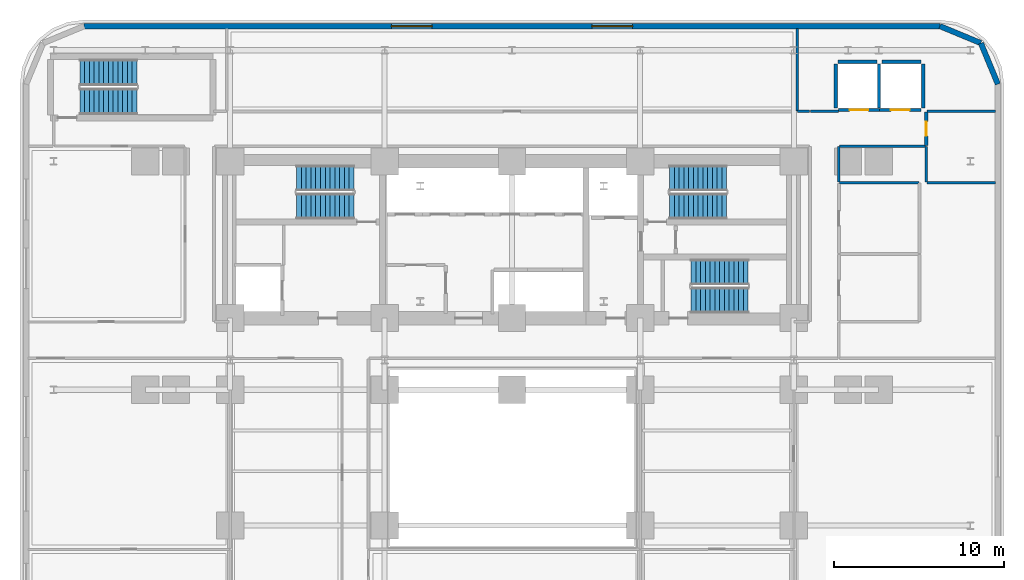
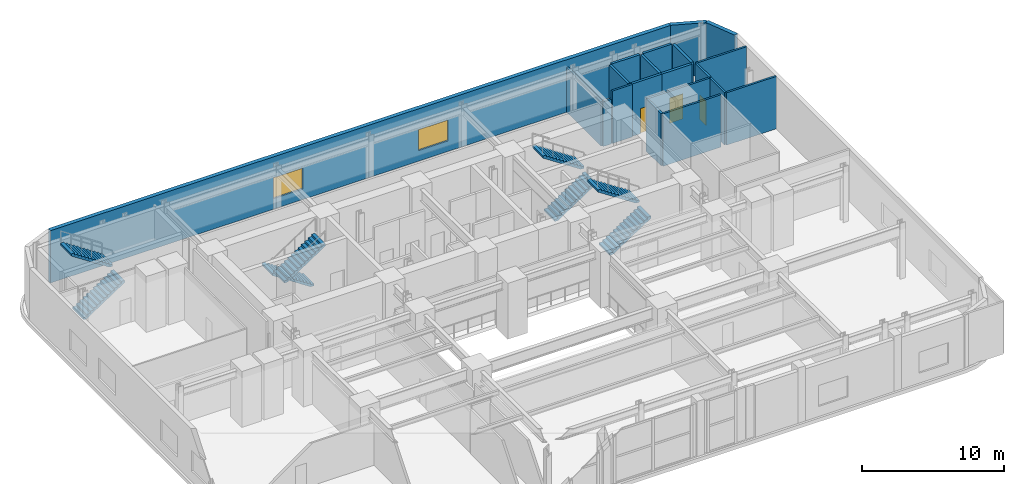
# One storey, part 9 of 16: 20 walls, 8 stair flights, 3 doors, 2 windows, 5 openings, 4 elements without a shape of their own.
"""IFC4 building model written with IfcOpenShell, lengths in metres."""

from ifc_helpers import new_model, si_unit, direction, frame, frame_2d, origin, place, context, subcontext, project, spatial, polyline, rectangle, outline, extrude, material, layer, layer_set, type_object, element, fill, aggregate, save


model = new_model("IFC4")

# Units and contexts
model_context = context("Model", 3, precision=1e-05, world=origin(), true_north=direction((0.0, 1.0)))
body_context = subcontext(model_context, "Body", "Model", "MODEL_VIEW")
ifc_project = project(units=[si_unit("LENGTHUNIT", "METRE"), si_unit("AREAUNIT", "SQUARE_METRE"), si_unit("VOLUMEUNIT", "CUBIC_METRE"), si_unit("PLANEANGLEUNIT", "RADIAN"), si_unit("MASSUNIT", "GRAM", prefix="KILO")], contexts=[model_context])

# Site, building, storey
site_placement = place(None, origin())
site = spatial("IfcSite", under=ifc_project, at=site_placement, CompositionType="ELEMENT")
building_placement = place(site_placement, origin())
building = spatial("IfcBuilding", under=site, at=building_placement, Name="Zarnavel Station Tower", CompositionType="ELEMENT")
storey_placement = place(building_placement, frame((0.0, 0.0, 19.39990234375)))
storey = spatial("IfcBuildingStorey", under=building, at=storey_placement, Name="L05", CompositionType="ELEMENT", Elevation=19.39990234375)

# Walls
ifc_material_1 = material(Name="Precast concrete C45/55 (Podium Basalt Frame)", Category="masonry")
ifc_layer_1 = layer(ifc_material_1, 0.320068359375)
ifc_layer_set_1 = layer_set([ifc_layer_1], Name="EW_BASALT_320")
wall_type_1 = type_object("IfcWallType", Name="EW_BASALT_320", PredefinedType="SOLIDWALL", material=ifc_layer_set_1)
for number, where, z_axis, x_axis, name in (
    (1, (56.418212890625, 44.018310546875, 0.0), (0.0, 0.0, 1.0), (0.382700522567, -0.923872453333, 0.0), "L05 Exterior Basalt Masonry Frame Wall 04"),
    (2, (54.0, 45.02001953125, 0.0), (0.0, 0.0, 1.0), (0.923872453333, -0.382700522567, 0.0), "L05 Exterior Basalt Masonry Frame Wall 05"),
):
    element("IfcWall", number, at=place(storey_placement, frame(where, z_axis=z_axis, x_axis=x_axis)), inside=storey, type_object=wall_type_1, Name=name, PredefinedType="SOLIDWALL", context=body_context, shape_type="SweptSolid", body=[
        extrude(rectangle(XDim=2.617431640625, YDim=0.320068359375, at=frame_2d((1.30859375, 0.0))), origin(), (0.0, 0.0, 1.0), 4.5),
    ])

# Wall, openings, windows
wall_1_placement = place(storey_placement, frame((3.60009765625, 45.02001953125, 0.0), z_axis=(0.0, 0.0, 1.0), x_axis=(1.0, 0.0, 0.0)))
wall_1 = element("IfcWall", 3, at=wall_1_placement, inside=storey, type_object=wall_type_1, Name="L05 Exterior Basalt Masonry Frame Wall 06", PredefinedType="SOLIDWALL", context=body_context, shape_type="SweptSolid", body=[
    extrude(rectangle(XDim=50.39990234375, YDim=0.320068359375, at=frame_2d((25.199951171875, 0.0))), origin(), (0.0, 0.0, 1.0), 4.5),
])
opening_1_placement = place(wall_1_placement, frame((18.10009765625, 0.0, 0.89990234375)))
opening_1 = element("IfcOpeningElement", 4, at=opening_1_placement, cuts=wall_1, Name="Opening WN03", PredefinedType="OPENING", context=body_context, shape_type="SweptSolid", body=[
    extrude(rectangle(XDim=2.39990234375, YDim=1.800048828125, at=frame_2d((1.199951171875, 0.89990234375))), frame((0.0, 0.169921875, 0.0), z_axis=(0.0, -1.0, 0.0), x_axis=(1.0, 0.0, 0.0)), (0.0, 0.0, 1.0), 0.340087890625),
])
opening_2_placement = place(wall_1_placement, frame((29.89990234375, 0.0, 0.89990234375)))
opening_2 = element("IfcOpeningElement", 5, at=opening_2_placement, cuts=wall_1, Name="Opening WN03", PredefinedType="OPENING", context=body_context, shape_type="SweptSolid", body=[
    extrude(rectangle(XDim=2.39990234375, YDim=1.800048828125, at=frame_2d((1.199951171875, 0.89990234375))), frame((0.0, 0.169921875, 0.0), z_axis=(0.0, -1.0, 0.0), x_axis=(1.0, 0.0, 0.0)), (0.0, 0.0, 1.0), 0.340087890625),
])
ifc_material_2 = material(Name="Thermally Broken Black Aluminium and Low-E Dark Glass", Category="aluminium")
window_type = type_object("IfcWindowType", Name="WN_2400x1800", PartitioningType="TRIPLE_PANEL_VERTICAL", PredefinedType="WINDOW", material=ifc_material_2)
window_1_placement = place(opening_1_placement, origin())
window_1 = element("IfcWindow", 6, at=window_1_placement, inside=storey, type_object=window_type, Name="L05 Recessed Facade Window 01", OverallHeight=1.800048828125, OverallWidth=2.39990234375, PartitioningType="SINGLE_PANEL", PredefinedType="WINDOW", context=body_context, shape_type="SweptSolid", body=[
    extrude(rectangle(XDim=2.39990234375, YDim=1.800048828125, at=frame_2d((1.199951171875, 0.89990234375))), frame((0.0, 0.030029296875, 0.0), z_axis=(0.0, -1.0, 0.0), x_axis=(1.0, 0.0, 0.0)), (0.0, 0.0, 1.0), 0.06005859375),
])
fill(opening_1, window_1)
window_2_placement = place(opening_2_placement, origin())
window_2 = element("IfcWindow", 7, at=window_2_placement, inside=storey, type_object=window_type, Name="L05 Recessed Facade Window 02", OverallHeight=1.800048828125, OverallWidth=2.39990234375, PartitioningType="SINGLE_PANEL", PredefinedType="WINDOW", context=body_context, shape_type="SweptSolid", body=[
    extrude(rectangle(XDim=2.39990234375, YDim=1.800048828125, at=frame_2d((1.199951171875, 0.89990234375))), frame((0.0, 0.030029296875, 0.0), z_axis=(0.0, -1.0, 0.0), x_axis=(1.0, 0.0, 0.0)), (0.0, 0.0, 1.0), 0.06005859375),
])
fill(opening_2, window_2)

# Walls
ifc_material_3 = material(Name="Gypsum Twin-Stud Acoustic Fire Partition", Category="concrete")
ifc_layer_2 = layer(ifc_material_3, 0.159912109375)
ifc_layer_set_2 = layer_set([ifc_layer_2], Name="PT_DEMISE_160")
wall_type_2 = type_object("IfcWallType", Name="PT_DEMISE_160", PredefinedType="PARTITIONING", material=ifc_layer_set_2)
wall_2_placement = place(storey_placement, frame((46.3798828125, 40.0, 0.0), z_axis=(0.0, 0.0, 1.0), x_axis=(1.0, 0.0, 0.0)))
element("IfcWall", 8, at=wall_2_placement, inside=storey, type_object=wall_type_2, Name="L05 Enclosure Wall PCOR-E", PredefinedType="PARTITIONING", context=body_context, shape_type="SweptSolid", body=[
    extrude(rectangle(XDim=1.64013671875, YDim=0.159912109375, at=frame_2d((0.820068359375, 0.0))), origin(), (0.0, 0.0, 1.0), 4.5),
])
wall_3_placement = place(storey_placement, frame((48.050048828125, 35.830078125, 0.0), z_axis=(0.0, 0.0, 1.0), x_axis=(0.0, 1.0, 0.0)))
element("IfcWall", 9, at=wall_3_placement, inside=storey, type_object=wall_type_2, Name="L05 Enclosure Wall PCOR-E", PredefinedType="PARTITIONING", context=body_context, shape_type="SweptSolid", body=[
    extrude(rectangle(XDim=2.08984375, YDim=0.159912109375, at=frame_2d((1.044921875, 0.0))), origin(), (0.0, 0.0, 1.0), 4.5),
])
wall_4_placement = place(storey_placement, frame((45.6298828125, 40.0, 0.0), z_axis=(0.0, 0.0, 1.0), x_axis=(1.0, 0.0, 0.0)))
element("IfcWall", 10, at=wall_4_placement, inside=storey, type_object=wall_type_2, Name="L05 Enclosure Wall PCOR-N", PredefinedType="PARTITIONING", context=body_context, shape_type="SweptSolid", body=[
    extrude(rectangle(XDim=0.690185546875, YDim=0.159912109375, at=frame_2d((0.34521484375, 0.0))), origin(), (0.0, 0.0, 1.0), 3.830078125),
])
wall_5_placement = place(storey_placement, frame((48.080078125, 37.949951171875, 0.0), z_axis=(0.0, 0.0, 1.0), x_axis=(1.0, 0.0, 0.0)))
element("IfcWall", 11, at=wall_5_placement, inside=storey, type_object=wall_type_2, Name="L05 Enclosure Wall PLLOB", PredefinedType="PARTITIONING", context=body_context, shape_type="SweptSolid", body=[
    extrude(rectangle(XDim=5.08984375, YDim=0.159912109375, at=frame_2d((2.544921875, 0.0))), origin(), (0.0, 0.0, 1.0), 4.5),
])
wall_6_placement = place(storey_placement, frame((48.080078125, 35.800048828125, 0.0), z_axis=(0.0, 0.0, 1.0), x_axis=(1.0, 0.0, 0.0)))
element("IfcWall", 12, at=wall_6_placement, inside=storey, type_object=wall_type_2, Name="L05 Enclosure Wall PWC-F", PredefinedType="PARTITIONING", context=body_context, shape_type="SweptSolid", body=[
    extrude(rectangle(XDim=4.68994140625, YDim=0.159912109375, at=frame_2d((2.344970703125, 0.0))), origin(), (0.0, 0.0, 1.0), 4.5),
])
for number, where, z_axis, x_axis, name in (
    (13, (53.22998046875, 35.800048828125, 0.0), (0.0, 0.0, 1.0), (1.0, 0.0, 0.0), "L05 Enclosure Wall PWC-A"),
    (14, (53.22998046875, 40.0, 0.0), (0.0, 0.0, 1.0), (1.0, 0.0, 0.0), "L05 Enclosure Wall PWC-A"),
):
    element("IfcWall", number, at=place(storey_placement, frame(where, z_axis=z_axis, x_axis=x_axis)), inside=storey, type_object=wall_type_2, Name=name, PredefinedType="PARTITIONING", context=body_context, shape_type="SweptSolid", body=[
        extrude(rectangle(XDim=4.06005859375, YDim=0.159912109375, at=frame_2d((2.030029296875, 0.0))), origin(), (0.0, 0.0, 1.0), 4.5),
    ])
wall_7_placement = place(storey_placement, frame((53.199951171875, 35.830078125, 0.0), z_axis=(0.0, 0.0, 1.0), x_axis=(0.0, 1.0, 0.0)))
element("IfcWall", 15, at=wall_7_placement, inside=storey, type_object=wall_type_2, Name="L05 Enclosure Wall PWC-A", PredefinedType="PARTITIONING", context=body_context, shape_type="SweptSolid", body=[
    extrude(rectangle(XDim=2.08984375, YDim=0.159912109375, at=frame_2d((1.044921875, 0.0))), origin(), (0.0, 0.0, 1.0), 4.5),
])
wall_8_placement = place(storey_placement, frame((45.60009765625, 40.030029296875, 0.0), z_axis=(0.0, 0.0, 1.0), x_axis=(0.0, 1.0, 0.0)))
element("IfcWall", 16, at=wall_8_placement, inside=storey, type_object=wall_type_2, Name="L05 Enclosure Wall BQK", PredefinedType="PARTITIONING", context=body_context, shape_type="SweptSolid", body=[
    extrude(rectangle(XDim=4.85986328125, YDim=0.159912109375, at=frame_2d((2.429931640625, 0.0))), origin(), (0.0, 0.0, 1.0), 3.830078125),
])

# Wall, opening, door
ifc_material_4 = material(Name="Precast concrete C45/55 (Fire Shaft Blockwork)", Category="masonry")
ifc_layer_3 = layer(ifc_material_4, 0.199951171875)
ifc_layer_set_3 = layer_set([ifc_layer_3], Name="PT_SHAFT_200")
wall_type_3 = type_object("IfcWallType", Name="PT_SHAFT_200", PredefinedType="PARTITIONING", material=ifc_layer_set_3)
wall_9_placement = place(storey_placement, frame((48.02001953125, 40.080078125, 0.0), z_axis=(0.0, 0.0, 1.0), x_axis=(1.0, 0.0, 0.0)))
wall_9 = element("IfcWall", 17, at=wall_9_placement, inside=storey, type_object=wall_type_3, Name="L05 Lift PL-P1 Shaft Front Wall", PredefinedType="PARTITIONING", context=body_context, shape_type="SweptSolid", body=[
    extrude(rectangle(XDim=2.429931640625, YDim=0.199951171875, at=frame_2d((1.21484375, 0.0))), origin(), (0.0, 0.0, 1.0), 4.5),
])
opening_3_placement = place(wall_9_placement, frame((0.6650390625, 0.0, 0.0)))
opening_3 = element("IfcOpeningElement", 18, at=opening_3_placement, cuts=wall_9, Name="Opening LD02", PredefinedType="OPENING", context=body_context, shape_type="SweptSolid", body=[
    extrude(rectangle(XDim=1.10009765625, YDim=2.14990234375, at=frame_2d((0.550048828125, 1.074951171875))), frame((0.0, 0.10986328125, 0.0), z_axis=(0.0, -1.0, 0.0), x_axis=(1.0, 0.0, 0.0)), (0.0, 0.0, 1.0), 0.219970703125),
])
ifc_material_5 = material(Name="Painted Galvanised Steel and Hardwood Leaf", Category="steel")
door_type_1 = type_object("IfcDoorType", Name="LD_PAX_1100", OperationType="DOUBLE_DOOR_SLIDING", PredefinedType="DOOR", material=ifc_material_5)
door_1_placement = place(opening_3_placement, origin())
door_1 = element("IfcDoor", 19, at=door_1_placement, inside=storey, type_object=door_type_1, Name="L05 Lift PL-P1 Sliding Landing Door", OperationType="DOUBLE_DOOR_SLIDING", OverallHeight=2.14990234375, OverallWidth=1.10009765625, PredefinedType="DOOR", context=body_context, shape_type="SweptSolid", body=[
    extrude(rectangle(XDim=1.10009765625, YDim=2.14990234375, at=frame_2d((0.550048828125, 1.074951171875))), frame((0.0, 0.02490234375, 0.0), z_axis=(0.0, -1.0, 0.0), x_axis=(1.0, 0.0, 0.0)), (0.0, 0.0, 1.0), 0.050048828125),
])
fill(opening_3, door_1)

# Walls
wall_10_placement = place(storey_placement, frame((48.0, 42.919921875, 0.0), z_axis=(0.0, 0.0, 1.0), x_axis=(1.0, 0.0, 0.0)))
element("IfcWall", 20, at=wall_10_placement, inside=storey, type_object=wall_type_3, Name="L05 Lift PL-P1 Shaft Wall N", PredefinedType="PARTITIONING", context=body_context, shape_type="SweptSolid", body=[
    extrude(rectangle(XDim=2.300048828125, YDim=0.199951171875, at=frame_2d((1.14990234375, 0.0))), origin(), (0.0, 0.0, 1.0), 4.5),
])
for number, where, z_axis, x_axis, name in (
    (21, (47.8798828125, 40.199951171875, 0.0), (0.0, 0.0, 1.0), (0.0, 1.0, 0.0), "L05 Lift PL-P1 Shaft Wall W"),
    (22, (50.419921875, 40.199951171875, 0.0), (0.0, 0.0, 1.0), (0.0, 1.0, 0.0), "L05 Lift PL-P1 Shaft Wall E"),
):
    element("IfcWall", number, at=place(storey_placement, frame(where, z_axis=z_axis, x_axis=x_axis)), inside=storey, type_object=wall_type_3, Name=name, PredefinedType="PARTITIONING", context=body_context, shape_type="SweptSolid", body=[
        extrude(rectangle(XDim=2.60009765625, YDim=0.199951171875, at=frame_2d((1.300048828125, 0.0))), origin(), (0.0, 0.0, 1.0), 4.5),
    ])

# Wall, opening, door
wall_11_placement = place(storey_placement, frame((50.449951171875, 40.080078125, 0.0), z_axis=(0.0, 0.0, 1.0), x_axis=(1.0, 0.0, 0.0)))
wall_11 = element("IfcWall", 23, at=wall_11_placement, inside=storey, type_object=wall_type_3, Name="L05 Lift PL-P2 Shaft Front Wall", PredefinedType="PARTITIONING", context=body_context, shape_type="SweptSolid", body=[
    extrude(rectangle(XDim=2.429931640625, YDim=0.199951171875, at=frame_2d((1.21484375, 0.0))), origin(), (0.0, 0.0, 1.0), 4.5),
])
opening_4_placement = place(wall_11_placement, frame((0.6650390625, 0.0, 0.0)))
opening_4 = element("IfcOpeningElement", 24, at=opening_4_placement, cuts=wall_11, Name="Opening LD02", PredefinedType="OPENING", context=body_context, shape_type="SweptSolid", body=[
    extrude(rectangle(XDim=1.10009765625, YDim=2.14990234375, at=frame_2d((0.550048828125, 1.074951171875))), frame((0.0, 0.10986328125, 0.0), z_axis=(0.0, -1.0, 0.0), x_axis=(1.0, 0.0, 0.0)), (0.0, 0.0, 1.0), 0.219970703125),
])
door_2_placement = place(opening_4_placement, origin())
door_2 = element("IfcDoor", 25, at=door_2_placement, inside=storey, type_object=door_type_1, Name="L05 Lift PL-P2 Sliding Landing Door", OperationType="DOUBLE_DOOR_SLIDING", OverallHeight=2.14990234375, OverallWidth=1.10009765625, PredefinedType="DOOR", context=body_context, shape_type="SweptSolid", body=[
    extrude(rectangle(XDim=1.10009765625, YDim=2.14990234375, at=frame_2d((0.550048828125, 1.074951171875))), frame((0.0, 0.02490234375, 0.0), z_axis=(0.0, -1.0, 0.0), x_axis=(1.0, 0.0, 0.0)), (0.0, 0.0, 1.0), 0.050048828125),
])
fill(opening_4, door_2)

# Walls
wall_12_placement = place(storey_placement, frame((50.60009765625, 42.919921875, 0.0), z_axis=(0.0, 0.0, 1.0), x_axis=(1.0, 0.0, 0.0)))
element("IfcWall", 26, at=wall_12_placement, inside=storey, type_object=wall_type_3, Name="L05 Lift PL-P2 Shaft Wall N", PredefinedType="PARTITIONING", context=body_context, shape_type="SweptSolid", body=[
    extrude(rectangle(XDim=2.2998046875, YDim=0.199951171875, at=frame_2d((1.14990234375, 0.0))), origin(), (0.0, 0.0, 1.0), 4.5),
])
wall_13_placement = place(storey_placement, frame((53.02001953125, 40.199951171875, 0.0), z_axis=(0.0, 0.0, 1.0), x_axis=(0.0, 1.0, 0.0)))
element("IfcWall", 27, at=wall_13_placement, inside=storey, type_object=wall_type_3, Name="L05 Lift PL-P2 Shaft Wall E", PredefinedType="PARTITIONING", context=body_context, shape_type="SweptSolid", body=[
    extrude(rectangle(XDim=2.60009765625, YDim=0.199951171875, at=frame_2d((1.300048828125, 0.0))), origin(), (0.0, 0.0, 1.0), 4.5),
])

# Wall, opening, door
ifc_material_6 = material(Name="Moisture-Resistant Plumbing Chase Wall", Category="concrete")
ifc_layer_4 = layer(ifc_material_6, 0.179931640625)
ifc_layer_set_4 = layer_set([ifc_layer_4], Name="PW_PLUMB_180")
wall_type_4 = type_object("IfcWallType", Name="PW_PLUMB_180", PredefinedType="PLUMBINGWALL", material=ifc_layer_set_4)
wall_14_placement = place(storey_placement, frame((53.199951171875, 37.989990234375, 0.0), z_axis=(0.0, 0.0, 1.0), x_axis=(0.0, 1.0, 0.0)))
wall_14 = element("IfcWall", 28, at=wall_14_placement, inside=storey, type_object=wall_type_4, Name="L05 Partition PLLOB-PWC-A", PredefinedType="PLUMBINGWALL", context=body_context, shape_type="SweptSolid", body=[
    extrude(rectangle(XDim=1.969970703125, YDim=0.179931640625, at=frame_2d((0.98486328125, 0.0))), origin(), (0.0, 0.0, 1.0), 4.5),
])
opening_5_placement = place(wall_14_placement, frame((0.56005859375, 0.0, 0.0)))
opening_5 = element("IfcOpeningElement", 29, at=opening_5_placement, cuts=wall_14, Name="Opening ID02", PredefinedType="OPENING", context=body_context, shape_type="SweptSolid", body=[
    extrude(rectangle(XDim=0.85009765625, YDim=2.10009765625, at=frame_2d((0.425048828125, 1.050048828125))), frame((0.0, 0.099853515625, 0.0), z_axis=(0.0, -1.0, 0.0), x_axis=(1.0, 0.0, 0.0)), (0.0, 0.0, 1.0), 0.199951171875),
])
ifc_material_7 = material(Name="Painted Galvanised Steel and Hardwood Leaf", Category="steel")
door_type_2 = type_object("IfcDoorType", Name="ID_BATH_850", OperationType="NOTDEFINED", PredefinedType="DOOR", material=ifc_material_7)
door_3_placement = place(opening_5_placement, origin())
door_3 = element("IfcDoor", 30, at=door_3_placement, inside=storey, type_object=door_type_2, Name="L05 Door PLLOB-PWC-A", OperationType="SINGLE_SWING_RIGHT", OverallHeight=2.10009765625, OverallWidth=0.85009765625, PredefinedType="DOOR", context=body_context, shape_type="SweptSolid", body=[
    extrude(rectangle(XDim=0.85009765625, YDim=2.10009765625, at=frame_2d((0.425048828125, 1.050048828125))), frame((0.0, 0.02490234375, 0.0), z_axis=(0.0, -1.0, 0.0), x_axis=(1.0, 0.0, 0.0)), (0.0, 0.0, 1.0), 0.050048828125),
])
fill(opening_5, door_3)

# Stair, stair flights
ifc_material_8 = material(Name="Concrete C45/55", Category="concrete")
stair_type_1 = type_object("IfcStairType", Name="ST_CORE_150", PredefinedType="HALF_TURN_STAIR", material=ifc_material_8)
stair_1_placement = place(storey_placement, origin())
stair_1 = element("IfcStair", 31, at=stair_1_placement, inside=storey, type_object=stair_type_1, Name="L05 Core Exit Stair ST1", PredefinedType="HALF_TURN_STAIR")
ifc_material_9 = material(Name="Concrete C45/55", Category="concrete")
ifc_layer_5 = layer(ifc_material_9, 0.179931640625)
ifc_layer_set_5 = layer_set([ifc_layer_5], Name="ST_CORE_150_FLT")
stair_flight_type_1 = type_object("IfcStairFlightType", Name="ST_CORE_150_FLT", PredefinedType="STRAIGHT", material=ifc_layer_set_5)
stair_flight_1_placement = place(storey_placement, frame((19.47998046875, 36.070068359375, 0.0), z_axis=(0.0, 0.0, 1.0), x_axis=(-1.0, 0.0, 0.0)))
stair_flight_1 = element("IfcStairFlight", 32, at=stair_flight_1_placement, type_object=stair_flight_type_1, Name="ST1 flight 1", NumberOfRisers=13, NumberOfTreads=12, PredefinedType="STRAIGHT", RiserHeight=0.184615385, TreadLength=0.28, context=body_context, shape_type="SweptSolid", body=[
    extrude(outline(polyline([(0.0, 0.0), (0.0, 0.1845703125), (0.280029296875, 0.1845703125), (0.280029296875, 0.369140625), (0.56005859375, 0.369140625), (0.56005859375, 0.553955078125), (0.840087890625, 0.553955078125), (0.840087890625, 0.738525390625), (1.1201171875, 0.738525390625), (1.1201171875, 0.923095703125), (1.39990234375, 0.923095703125), (1.39990234375, 1.107666015625), (1.679931640625, 1.107666015625), (1.679931640625, 1.292236328125), (1.9599609375, 1.292236328125), (1.9599609375, 1.476806640625), (2.239990234375, 1.476806640625), (2.239990234375, 1.66162109375), (2.52001953125, 1.66162109375), (2.52001953125, 1.84619140625), (2.800048828125, 1.84619140625), (2.800048828125, 2.03076171875), (3.080078125, 2.03076171875), (3.080078125, 2.21533203125), (3.360107421875, 2.21533203125), (3.360107421875, 2.39990234375), (3.360107421875, 2.035888671875), (0.272216796875, 0.0), (0.0, 0.0)])), frame((0.0, 0.75, 0.0), z_axis=(0.0, -1.0, 0.0), x_axis=(1.0, 0.0, 0.0)), (0.0, 0.0, 1.0), 1.5),
])
stair_flight_2_placement = place(storey_placement, frame((16.1201171875, 34.409912109375, 2.400146484375), z_axis=(0.0, 0.0, 1.0), x_axis=(1.0, 0.0, 0.0)))
stair_flight_2 = element("IfcStairFlight", 33, at=stair_flight_2_placement, type_object=stair_flight_type_1, Name="ST1 flight 2", NumberOfRisers=13, NumberOfTreads=12, PredefinedType="STRAIGHT", RiserHeight=0.184615385, TreadLength=0.28, context=body_context, shape_type="SweptSolid", body=[
    extrude(outline(polyline([(0.0, 0.0), (0.0, 0.1845703125), (0.280029296875, 0.1845703125), (0.280029296875, 0.369140625), (0.56005859375, 0.369140625), (0.56005859375, 0.553955078125), (0.840087890625, 0.553955078125), (0.840087890625, 0.738525390625), (1.1201171875, 0.738525390625), (1.1201171875, 0.923095703125), (1.39990234375, 0.923095703125), (1.39990234375, 1.107666015625), (1.679931640625, 1.107666015625), (1.679931640625, 1.292236328125), (1.9599609375, 1.292236328125), (1.9599609375, 1.476806640625), (2.239990234375, 1.476806640625), (2.239990234375, 1.66162109375), (2.52001953125, 1.66162109375), (2.52001953125, 1.84619140625), (2.800048828125, 1.84619140625), (2.800048828125, 2.03076171875), (3.080078125, 2.03076171875), (3.080078125, 2.21533203125), (3.360107421875, 2.21533203125), (3.360107421875, 2.39990234375), (3.360107421875, 2.035888671875), (0.272216796875, 0.0), (0.0, 0.0)])), frame((0.0, 0.75, 0.0), z_axis=(0.0, -1.0, 0.0), x_axis=(1.0, 0.0, 0.0)), (0.0, 0.0, 1.0), 1.5),
])
aggregate(stair_1, [stair_flight_1, stair_flight_2])

stair_2_placement = place(storey_placement, origin())
stair_2 = element("IfcStair", 34, at=stair_2_placement, inside=storey, type_object=stair_type_1, Name="L05 Core Exit Stair ST2", PredefinedType="HALF_TURN_STAIR")
stair_flight_3_placement = place(storey_placement, frame((38.080078125, 34.409912109375, 0.0), z_axis=(0.0, 0.0, 1.0), x_axis=(1.0, 0.0, 0.0)))
stair_flight_3 = element("IfcStairFlight", 35, at=stair_flight_3_placement, type_object=stair_flight_type_1, Name="ST2 flight 1", NumberOfRisers=13, NumberOfTreads=12, PredefinedType="STRAIGHT", RiserHeight=0.184615385, TreadLength=0.28, context=body_context, shape_type="SweptSolid", body=[
    extrude(outline(polyline([(0.0, 0.0), (0.0, 0.1845703125), (0.280029296875, 0.1845703125), (0.280029296875, 0.369140625), (0.56005859375, 0.369140625), (0.56005859375, 0.553955078125), (0.840087890625, 0.553955078125), (0.840087890625, 0.738525390625), (1.1201171875, 0.738525390625), (1.1201171875, 0.923095703125), (1.39990234375, 0.923095703125), (1.39990234375, 1.107666015625), (1.679931640625, 1.107666015625), (1.679931640625, 1.292236328125), (1.9599609375, 1.292236328125), (1.9599609375, 1.476806640625), (2.239990234375, 1.476806640625), (2.239990234375, 1.66162109375), (2.52001953125, 1.66162109375), (2.52001953125, 1.84619140625), (2.800048828125, 1.84619140625), (2.800048828125, 2.03076171875), (3.080078125, 2.03076171875), (3.080078125, 2.21533203125), (3.360107421875, 2.21533203125), (3.360107421875, 2.39990234375), (3.360107421875, 2.035888671875), (0.272216796875, 0.0), (0.0, 0.0)])), frame((0.0, 0.75, 0.0), z_axis=(0.0, -1.0, 0.0), x_axis=(1.0, 0.0, 0.0)), (0.0, 0.0, 1.0), 1.5),
])
stair_flight_4_placement = place(storey_placement, frame((41.43994140625, 36.070068359375, 2.400146484375), z_axis=(0.0, 0.0, 1.0), x_axis=(-1.0, 0.0, 0.0)))
stair_flight_4 = element("IfcStairFlight", 36, at=stair_flight_4_placement, type_object=stair_flight_type_1, Name="ST2 flight 2", NumberOfRisers=13, NumberOfTreads=12, PredefinedType="STRAIGHT", RiserHeight=0.184615385, TreadLength=0.28, context=body_context, shape_type="SweptSolid", body=[
    extrude(outline(polyline([(0.0, 0.0), (0.0, 0.1845703125), (0.280029296875, 0.1845703125), (0.280029296875, 0.369140625), (0.56005859375, 0.369140625), (0.56005859375, 0.553955078125), (0.840087890625, 0.553955078125), (0.840087890625, 0.738525390625), (1.1201171875, 0.738525390625), (1.1201171875, 0.923095703125), (1.39990234375, 0.923095703125), (1.39990234375, 1.107666015625), (1.679931640625, 1.107666015625), (1.679931640625, 1.292236328125), (1.9599609375, 1.292236328125), (1.9599609375, 1.476806640625), (2.239990234375, 1.476806640625), (2.239990234375, 1.66162109375), (2.52001953125, 1.66162109375), (2.52001953125, 1.84619140625), (2.800048828125, 1.84619140625), (2.800048828125, 2.03076171875), (3.080078125, 2.03076171875), (3.080078125, 2.21533203125), (3.360107421875, 2.21533203125), (3.360107421875, 2.39990234375), (3.360107421875, 2.035888671875), (0.272216796875, 0.0), (0.0, 0.0)])), frame((0.0, 0.75, 0.0), z_axis=(0.0, -1.0, 0.0), x_axis=(1.0, 0.0, 0.0)), (0.0, 0.0, 1.0), 1.5),
])
aggregate(stair_2, [stair_flight_3, stair_flight_4])

stair_3_placement = place(storey_placement, origin())
stair_3 = element("IfcStair", 37, at=stair_3_placement, inside=storey, type_object=stair_type_1, Name="L05 Core Exit Stair ST3", PredefinedType="HALF_TURN_STAIR")
stair_flight_5_placement = place(storey_placement, frame((39.35009765625, 28.8701171875, 0.0), z_axis=(0.0, 0.0, 1.0), x_axis=(1.0, 0.0, 0.0)))
stair_flight_5 = element("IfcStairFlight", 38, at=stair_flight_5_placement, type_object=stair_flight_type_1, Name="ST3 flight 1", NumberOfRisers=13, NumberOfTreads=12, PredefinedType="STRAIGHT", RiserHeight=0.184615385, TreadLength=0.28, context=body_context, shape_type="SweptSolid", body=[
    extrude(outline(polyline([(0.0, 0.0), (0.0, 0.1845703125), (0.280029296875, 0.1845703125), (0.280029296875, 0.369140625), (0.56005859375, 0.369140625), (0.56005859375, 0.553955078125), (0.840087890625, 0.553955078125), (0.840087890625, 0.738525390625), (1.1201171875, 0.738525390625), (1.1201171875, 0.923095703125), (1.39990234375, 0.923095703125), (1.39990234375, 1.107666015625), (1.679931640625, 1.107666015625), (1.679931640625, 1.292236328125), (1.9599609375, 1.292236328125), (1.9599609375, 1.476806640625), (2.239990234375, 1.476806640625), (2.239990234375, 1.66162109375), (2.52001953125, 1.66162109375), (2.52001953125, 1.84619140625), (2.800048828125, 1.84619140625), (2.800048828125, 2.03076171875), (3.080078125, 2.03076171875), (3.080078125, 2.21533203125), (3.360107421875, 2.21533203125), (3.360107421875, 2.39990234375), (3.360107421875, 2.035888671875), (0.272216796875, 0.0), (0.0, 0.0)])), frame((0.0, 0.75, 0.0), z_axis=(0.0, -1.0, 0.0), x_axis=(1.0, 0.0, 0.0)), (0.0, 0.0, 1.0), 1.5),
])
stair_flight_6_placement = place(storey_placement, frame((42.7099609375, 30.530029296875, 2.400146484375), z_axis=(0.0, 0.0, 1.0), x_axis=(-1.0, 0.0, 0.0)))
stair_flight_6 = element("IfcStairFlight", 39, at=stair_flight_6_placement, type_object=stair_flight_type_1, Name="ST3 flight 2", NumberOfRisers=13, NumberOfTreads=12, PredefinedType="STRAIGHT", RiserHeight=0.184615385, TreadLength=0.28, context=body_context, shape_type="SweptSolid", body=[
    extrude(outline(polyline([(0.0, 0.0), (0.0, 0.1845703125), (0.280029296875, 0.1845703125), (0.280029296875, 0.369140625), (0.56005859375, 0.369140625), (0.56005859375, 0.553955078125), (0.840087890625, 0.553955078125), (0.840087890625, 0.738525390625), (1.1201171875, 0.738525390625), (1.1201171875, 0.923095703125), (1.39990234375, 0.923095703125), (1.39990234375, 1.107666015625), (1.679931640625, 1.107666015625), (1.679931640625, 1.292236328125), (1.9599609375, 1.292236328125), (1.9599609375, 1.476806640625), (2.239990234375, 1.476806640625), (2.239990234375, 1.66162109375), (2.52001953125, 1.66162109375), (2.52001953125, 1.84619140625), (2.800048828125, 1.84619140625), (2.800048828125, 2.03076171875), (3.080078125, 2.03076171875), (3.080078125, 2.21533203125), (3.360107421875, 2.21533203125), (3.360107421875, 2.39990234375), (3.360107421875, 2.035888671875), (0.272216796875, 0.0), (0.0, 0.0)])), frame((0.0, 0.75, 0.0), z_axis=(0.0, -1.0, 0.0), x_axis=(1.0, 0.0, 0.0)), (0.0, 0.0, 1.0), 1.5),
])
aggregate(stair_3, [stair_flight_5, stair_flight_6])

ifc_material_10 = material(Name="Concrete C45/55", Category="concrete")
stair_type_2 = type_object("IfcStairType", Name="ST_POD_155", PredefinedType="HALF_TURN_STAIR", material=ifc_material_10)
stair_4_placement = place(storey_placement, origin())
stair_4 = element("IfcStair", 40, at=stair_4_placement, inside=storey, type_object=stair_type_2, Name="L05 Core Exit Stair ST4", PredefinedType="HALF_TURN_STAIR")
ifc_material_11 = material(Name="Concrete C45/55", Category="concrete")
ifc_layer_6 = layer(ifc_material_11, 0.179931640625)
ifc_layer_set_6 = layer_set([ifc_layer_6], Name="ST_POD_155_FLT")
stair_flight_type_2 = type_object("IfcStairFlightType", Name="ST_POD_155_FLT", PredefinedType="STRAIGHT", material=ifc_layer_set_6)
stair_flight_7_placement = place(storey_placement, frame((3.35009765625, 40.574951171875, 0.0), z_axis=(0.0, 0.0, 1.0), x_axis=(1.0, 0.0, 0.0)))
stair_flight_7 = element("IfcStairFlight", 41, at=stair_flight_7_placement, type_object=stair_flight_type_2, Name="ST4 flight 1", NumberOfRisers=13, NumberOfTreads=12, PredefinedType="STRAIGHT", RiserHeight=0.184615385, TreadLength=0.28, context=body_context, shape_type="SweptSolid", body=[
    extrude(outline(polyline([(0.0, 0.0), (0.0, 0.1845703125), (0.280029296875, 0.1845703125), (0.280029296875, 0.369140625), (0.56005859375, 0.369140625), (0.56005859375, 0.553955078125), (0.840087890625, 0.553955078125), (0.840087890625, 0.738525390625), (1.1201171875, 0.738525390625), (1.1201171875, 0.923095703125), (1.39990234375, 0.923095703125), (1.39990234375, 1.107666015625), (1.679931640625, 1.107666015625), (1.679931640625, 1.292236328125), (1.9599609375, 1.292236328125), (1.9599609375, 1.476806640625), (2.239990234375, 1.476806640625), (2.239990234375, 1.66162109375), (2.52001953125, 1.66162109375), (2.52001953125, 1.84619140625), (2.800048828125, 1.84619140625), (2.800048828125, 2.03076171875), (3.080078125, 2.03076171875), (3.080078125, 2.21533203125), (3.360107421875, 2.21533203125), (3.360107421875, 2.39990234375), (3.360107421875, 2.035888671875), (0.272216796875, 0.0), (0.0, 0.0)])), frame((0.0, 0.77490234375, 0.0), z_axis=(0.0, -1.0, 0.0), x_axis=(1.0, 0.0, 0.0)), (0.0, 0.0, 1.0), 1.550048828125),
])
stair_flight_8_placement = place(storey_placement, frame((6.7099609375, 42.284912109375, 2.400146484375), z_axis=(0.0, 0.0, 1.0), x_axis=(-1.0, 0.0, 0.0)))
stair_flight_8 = element("IfcStairFlight", 42, at=stair_flight_8_placement, type_object=stair_flight_type_2, Name="ST4 flight 2", NumberOfRisers=13, NumberOfTreads=12, PredefinedType="STRAIGHT", RiserHeight=0.184615385, TreadLength=0.28, context=body_context, shape_type="SweptSolid", body=[
    extrude(outline(polyline([(0.0, 0.0), (0.0, 0.1845703125), (0.280029296875, 0.1845703125), (0.280029296875, 0.369140625), (0.56005859375, 0.369140625), (0.56005859375, 0.553955078125), (0.840087890625, 0.553955078125), (0.840087890625, 0.738525390625), (1.1201171875, 0.738525390625), (1.1201171875, 0.923095703125), (1.39990234375, 0.923095703125), (1.39990234375, 1.107666015625), (1.679931640625, 1.107666015625), (1.679931640625, 1.292236328125), (1.9599609375, 1.292236328125), (1.9599609375, 1.476806640625), (2.239990234375, 1.476806640625), (2.239990234375, 1.66162109375), (2.52001953125, 1.66162109375), (2.52001953125, 1.84619140625), (2.800048828125, 1.84619140625), (2.800048828125, 2.03076171875), (3.080078125, 2.03076171875), (3.080078125, 2.21533203125), (3.360107421875, 2.21533203125), (3.360107421875, 2.39990234375), (3.360107421875, 2.035888671875), (0.272216796875, 0.0), (0.0, 0.0)])), frame((0.0, 0.77490234375, 0.0), z_axis=(0.0, -1.0, 0.0), x_axis=(1.0, 0.0, 0.0)), (0.0, 0.0, 1.0), 1.550048828125),
])
aggregate(stair_4, [stair_flight_7, stair_flight_8])

save(model, "model.ifc")
